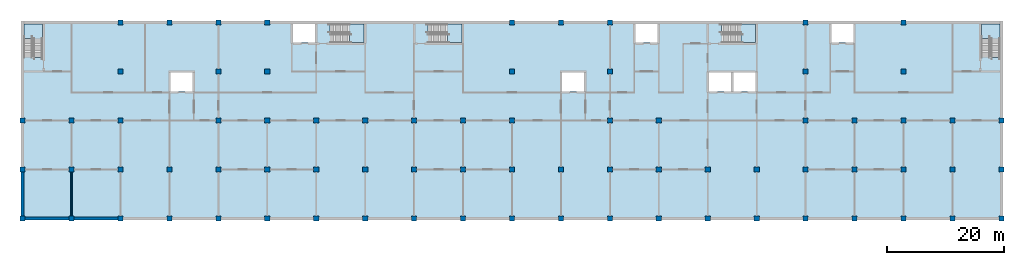
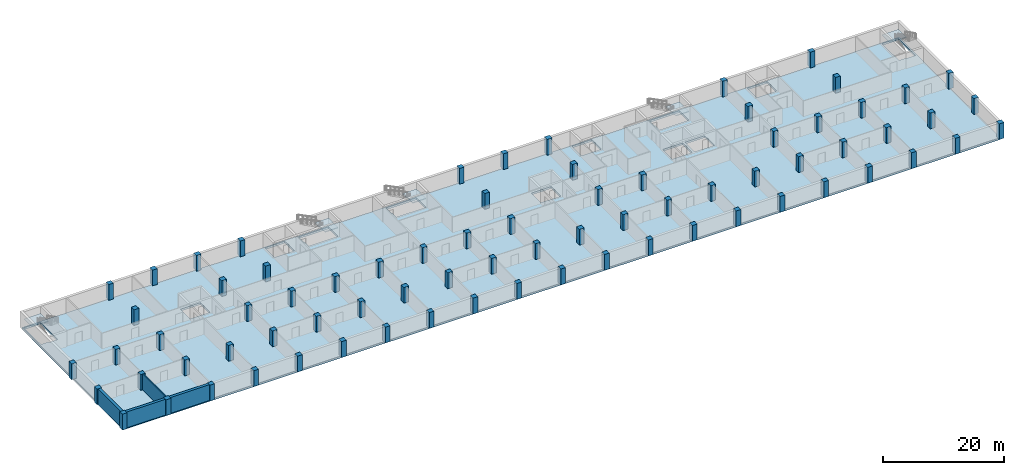
# One storey, part 1 of 12: 75 columns, 6 slabs, 4 walls, 5 elements without a shape of their own.
"""IFC4 building model written with IfcOpenShell, lengths in metres."""

from ifc_helpers import new_model, si_unit, direction, frame, frame_2d, origin, origin_2d, place, context, subcontext, project, spatial, polyline, rectangle, outline, extrude, material, layer, layer_set, material_profile, profile_set, type_object, element, aggregate, save


model = new_model("IFC4")

# Units and contexts
model_context = context("Model", 3, precision=1e-05, world=origin(), true_north=direction((0.0, 1.0)))
body_context = subcontext(model_context, "Body", "Model", "MODEL_VIEW")
ifc_project = project(units=[si_unit("LENGTHUNIT", "METRE"), si_unit("AREAUNIT", "SQUARE_METRE"), si_unit("VOLUMEUNIT", "CUBIC_METRE"), si_unit("PLANEANGLEUNIT", "RADIAN"), si_unit("MASSUNIT", "GRAM", prefix="KILO")], contexts=[model_context])

# Site, building, storey
site_placement = place(None, origin())
site = spatial("IfcSite", under=ifc_project, at=site_placement, CompositionType="ELEMENT")
building_placement = place(site_placement, origin())
building = spatial("IfcBuilding", under=site, at=building_placement, Name="Yavir Park General Hospital", CompositionType="ELEMENT")
storey_placement = place(building_placement, frame((0.0, 0.0, -11.39990234375)))
storey = spatial("IfcBuildingStorey", under=building, at=storey_placement, Name="B3", CompositionType="ELEMENT", Elevation=-11.39990234375)

# Columns
ifc_material_1 = material(Name="Concrete C40/50", Category="concrete")
ifc_material_profile = material_profile(ifc_material_1, rectangle(XDim=0.89990234375, YDim=0.89990234375, at=origin_2d()), Name="RC900x900")
ifc_profile_set = profile_set([ifc_material_profile], Name="Concrete C40/50")
column_type = type_object("IfcColumnType", Name="RC COLUMN 900x900", PredefinedType="COLUMN", material=ifc_profile_set)
for number, where, z_axis, x_axis, name in (
    (1, (0.0, 0.0, 0.0), (0.0, 0.0, 1.0), (1.0, 0.0, 0.0), "C:B3:1A"),
    (2, (8.39990234375, 0.0, 0.0), (0.0, 0.0, 1.0), (1.0, 0.0, 0.0), "C:B3:2A"),
    (3, (16.800048828125, 0.0, 0.0), (0.0, 0.0, 1.0), (1.0, 0.0, 0.0), "C:B3:3A"),
    (4, (25.199951171875, 0.0, 0.0), (0.0, 0.0, 1.0), (1.0, 0.0, 0.0), "C:B3:4A"),
    (5, (33.60009765625, 0.0, 0.0), (0.0, 0.0, 1.0), (1.0, 0.0, 0.0), "C:B3:5A"),
    (6, (42.0, 0.0, 0.0), (0.0, 0.0, 1.0), (1.0, 0.0, 0.0), "C:B3:6A"),
    (7, (50.39990234375, 0.0, 0.0), (0.0, 0.0, 1.0), (1.0, 0.0, 0.0), "C:B3:7A"),
    (8, (58.800048828125, 0.0, 0.0), (0.0, 0.0, 1.0), (1.0, 0.0, 0.0), "C:B3:8A"),
    (9, (67.199951171875, 0.0, 0.0), (0.0, 0.0, 1.0), (1.0, 0.0, 0.0), "C:B3:9A"),
    (10, (75.60009765625, 0.0, 0.0), (0.0, 0.0, 1.0), (1.0, 0.0, 0.0), "C:B3:10A"),
    (11, (84.0, 0.0, 0.0), (0.0, 0.0, 1.0), (1.0, 0.0, 0.0), "C:B3:11A"),
    (12, (92.39990234375, 0.0, 0.0), (0.0, 0.0, 1.0), (1.0, 0.0, 0.0), "C:B3:12A"),
    (13, (100.800048828125, 0.0, 0.0), (0.0, 0.0, 1.0), (1.0, 0.0, 0.0), "C:B3:13A"),
    (14, (109.199951171875, 0.0, 0.0), (0.0, 0.0, 1.0), (1.0, 0.0, 0.0), "C:B3:14A"),
    (15, (117.60009765625, 0.0, 0.0), (0.0, 0.0, 1.0), (1.0, 0.0, 0.0), "C:B3:15A"),
    (16, (126.0, 0.0, 0.0), (0.0, 0.0, 1.0), (1.0, 0.0, 0.0), "C:B3:16A"),
    (17, (134.39990234375, 0.0, 0.0), (0.0, 0.0, 1.0), (1.0, 0.0, 0.0), "C:B3:17A"),
    (18, (142.800048828125, 0.0, 0.0), (0.0, 0.0, 1.0), (1.0, 0.0, 0.0), "C:B3:18A"),
    (19, (151.199951171875, 0.0, 0.0), (0.0, 0.0, 1.0), (1.0, 0.0, 0.0), "C:B3:19A"),
    (20, (159.60009765625, 0.0, 0.0), (0.0, 0.0, 1.0), (1.0, 0.0, 0.0), "C:B3:20A"),
    (21, (168.0, 0.0, 0.0), (0.0, 0.0, 1.0), (1.0, 0.0, 0.0), "C:B3:21A"),
    (22, (0.0, 8.39990234375, 0.0), (0.0, 0.0, 1.0), (1.0, 0.0, 0.0), "C:B3:1B"),
    (23, (8.39990234375, 8.39990234375, 0.0), (0.0, 0.0, 1.0), (1.0, 0.0, 0.0), "C:B3:2B"),
    (24, (16.800048828125, 8.39990234375, 0.0), (0.0, 0.0, 1.0), (1.0, 0.0, 0.0), "C:B3:3B"),
    (25, (25.199951171875, 8.39990234375, 0.0), (0.0, 0.0, 1.0), (1.0, 0.0, 0.0), "C:B3:4B"),
    (26, (33.60009765625, 8.39990234375, 0.0), (0.0, 0.0, 1.0), (1.0, 0.0, 0.0), "C:B3:5B"),
    (27, (42.0, 8.39990234375, 0.0), (0.0, 0.0, 1.0), (1.0, 0.0, 0.0), "C:B3:6B"),
    (28, (50.39990234375, 8.39990234375, 0.0), (0.0, 0.0, 1.0), (1.0, 0.0, 0.0), "C:B3:7B"),
    (29, (58.800048828125, 8.39990234375, 0.0), (0.0, 0.0, 1.0), (1.0, 0.0, 0.0), "C:B3:8B"),
    (30, (67.199951171875, 8.39990234375, 0.0), (0.0, 0.0, 1.0), (1.0, 0.0, 0.0), "C:B3:9B"),
    (31, (75.60009765625, 8.39990234375, 0.0), (0.0, 0.0, 1.0), (1.0, 0.0, 0.0), "C:B3:10B"),
    (32, (84.0, 8.39990234375, 0.0), (0.0, 0.0, 1.0), (1.0, 0.0, 0.0), "C:B3:11B"),
    (33, (92.39990234375, 8.39990234375, 0.0), (0.0, 0.0, 1.0), (1.0, 0.0, 0.0), "C:B3:12B"),
    (34, (100.800048828125, 8.39990234375, 0.0), (0.0, 0.0, 1.0), (1.0, 0.0, 0.0), "C:B3:13B"),
    (35, (109.199951171875, 8.39990234375, 0.0), (0.0, 0.0, 1.0), (1.0, 0.0, 0.0), "C:B3:14B"),
    (36, (117.60009765625, 8.39990234375, 0.0), (0.0, 0.0, 1.0), (1.0, 0.0, 0.0), "C:B3:15B"),
    (37, (126.0, 8.39990234375, 0.0), (0.0, 0.0, 1.0), (1.0, 0.0, 0.0), "C:B3:16B"),
    (38, (134.39990234375, 8.39990234375, 0.0), (0.0, 0.0, 1.0), (1.0, 0.0, 0.0), "C:B3:17B"),
    (39, (142.800048828125, 8.39990234375, 0.0), (0.0, 0.0, 1.0), (1.0, 0.0, 0.0), "C:B3:18B"),
    (40, (151.199951171875, 8.39990234375, 0.0), (0.0, 0.0, 1.0), (1.0, 0.0, 0.0), "C:B3:19B"),
    (41, (159.60009765625, 8.39990234375, 0.0), (0.0, 0.0, 1.0), (1.0, 0.0, 0.0), "C:B3:20B"),
    (42, (168.0, 8.39990234375, 0.0), (0.0, 0.0, 1.0), (1.0, 0.0, 0.0), "C:B3:21B"),
    (43, (0.0, 16.800048828125, 0.0), (0.0, 0.0, 1.0), (1.0, 0.0, 0.0), "C:B3:1C"),
    (44, (8.39990234375, 16.800048828125, 0.0), (0.0, 0.0, 1.0), (1.0, 0.0, 0.0), "C:B3:2C"),
    (45, (16.800048828125, 16.800048828125, 0.0), (0.0, 0.0, 1.0), (1.0, 0.0, 0.0), "C:B3:3C"),
    (46, (33.60009765625, 16.800048828125, 0.0), (0.0, 0.0, 1.0), (1.0, 0.0, 0.0), "C:B3:5C"),
    (47, (42.0, 16.800048828125, 0.0), (0.0, 0.0, 1.0), (1.0, 0.0, 0.0), "C:B3:6C"),
    (48, (50.39990234375, 16.800048828125, 0.0), (0.0, 0.0, 1.0), (1.0, 0.0, 0.0), "C:B3:7C"),
    (49, (58.800048828125, 16.800048828125, 0.0), (0.0, 0.0, 1.0), (1.0, 0.0, 0.0), "C:B3:8C"),
    (50, (67.199951171875, 16.800048828125, 0.0), (0.0, 0.0, 1.0), (1.0, 0.0, 0.0), "C:B3:9C"),
    (51, (75.60009765625, 16.800048828125, 0.0), (0.0, 0.0, 1.0), (1.0, 0.0, 0.0), "C:B3:10C"),
    (52, (84.0, 16.800048828125, 0.0), (0.0, 0.0, 1.0), (1.0, 0.0, 0.0), "C:B3:11C"),
    (53, (100.800048828125, 16.800048828125, 0.0), (0.0, 0.0, 1.0), (1.0, 0.0, 0.0), "C:B3:13C"),
    (54, (109.199951171875, 16.800048828125, 0.0), (0.0, 0.0, 1.0), (1.0, 0.0, 0.0), "C:B3:14C"),
    (55, (134.39990234375, 16.800048828125, 0.0), (0.0, 0.0, 1.0), (1.0, 0.0, 0.0), "C:B3:17C"),
    (56, (142.800048828125, 16.800048828125, 0.0), (0.0, 0.0, 1.0), (1.0, 0.0, 0.0), "C:B3:18C"),
    (57, (151.199951171875, 16.800048828125, 0.0), (0.0, 0.0, 1.0), (1.0, 0.0, 0.0), "C:B3:19C"),
    (58, (159.60009765625, 16.800048828125, 0.0), (0.0, 0.0, 1.0), (1.0, 0.0, 0.0), "C:B3:20C"),
    (59, (168.0, 16.800048828125, 0.0), (0.0, 0.0, 1.0), (1.0, 0.0, 0.0), "C:B3:21C"),
    (60, (16.800048828125, 25.199951171875, 0.0), (0.0, 0.0, 1.0), (1.0, 0.0, 0.0), "C:B3:3D"),
    (61, (33.60009765625, 25.199951171875, 0.0), (0.0, 0.0, 1.0), (1.0, 0.0, 0.0), "C:B3:5D"),
    (62, (42.0, 25.199951171875, 0.0), (0.0, 0.0, 1.0), (1.0, 0.0, 0.0), "C:B3:6D"),
    (63, (84.0, 25.199951171875, 0.0), (0.0, 0.0, 1.0), (1.0, 0.0, 0.0), "C:B3:11D"),
    (64, (100.800048828125, 25.199951171875, 0.0), (0.0, 0.0, 1.0), (1.0, 0.0, 0.0), "C:B3:13D"),
    (65, (134.39990234375, 25.199951171875, 0.0), (0.0, 0.0, 1.0), (1.0, 0.0, 0.0), "C:B3:17D"),
    (66, (151.199951171875, 25.199951171875, 0.0), (0.0, 0.0, 1.0), (1.0, 0.0, 0.0), "C:B3:19D"),
    (67, (16.800048828125, 33.60009765625, 0.0), (0.0, 0.0, 1.0), (1.0, 0.0, 0.0), "C:B3:3E"),
    (68, (25.199951171875, 33.60009765625, 0.0), (0.0, 0.0, 1.0), (1.0, 0.0, 0.0), "C:B3:4E"),
    (69, (33.60009765625, 33.60009765625, 0.0), (0.0, 0.0, 1.0), (1.0, 0.0, 0.0), "C:B3:5E"),
    (70, (42.0, 33.60009765625, 0.0), (0.0, 0.0, 1.0), (1.0, 0.0, 0.0), "C:B3:6E"),
    (71, (84.0, 33.60009765625, 0.0), (0.0, 0.0, 1.0), (1.0, 0.0, 0.0), "C:B3:11E"),
    (72, (92.39990234375, 33.60009765625, 0.0), (0.0, 0.0, 1.0), (1.0, 0.0, 0.0), "C:B3:12E"),
    (73, (100.800048828125, 33.60009765625, 0.0), (0.0, 0.0, 1.0), (1.0, 0.0, 0.0), "C:B3:13E"),
    (74, (134.39990234375, 33.60009765625, 0.0), (0.0, 0.0, 1.0), (1.0, 0.0, 0.0), "C:B3:17E"),
    (75, (151.199951171875, 33.60009765625, 0.0), (0.0, 0.0, 1.0), (1.0, 0.0, 0.0), "C:B3:19E"),
):
    element("IfcColumn", number, at=place(storey_placement, frame(where, z_axis=z_axis, x_axis=x_axis)), inside=storey, type_object=column_type, Name=name, PredefinedType="COLUMN", context=body_context, shape_type="SweptSolid", body=[
        extrude(rectangle(XDim=0.89990234375, YDim=0.89990234375, at=origin_2d()), origin(), (0.0, 0.0, 1.0), 3.199951171875),
    ])

# Stair, slab
ifc_material_2 = material(Name="Concrete C30/37", Category="concrete")
stair_type = type_object("IfcStairType", Name="Patient escape stair, 24 risers of 150 mm, 1400 mm flights", PredefinedType="HALF_TURN_STAIR", material=ifc_material_2)
stair_1_placement = place(storey_placement, origin())
stair_1 = element("IfcStair", 76, at=stair_1_placement, inside=storey, type_object=stair_type, Name="Stair BS1, B3 to B2", PredefinedType="HALF_TURN_STAIR")
ifc_material_3 = material(Name="Concrete C30/37", Category="concrete")
ifc_layer_1 = layer(ifc_material_3, 0.159912109375)
ifc_layer_set_1 = layer_set([ifc_layer_1], Name="Concrete C30/37")
slab_type_1 = type_object("IfcSlabType", Name="Patient escape stair half landing, reinforced concrete 160 mm", PredefinedType="LANDING", material=ifc_layer_set_1)
slab_1_placement = place(storey_placement, frame((0.0, 0.0, 1.639892578125)))
slab_1 = element("IfcSlab", 77, at=slab_1_placement, type_object=slab_type_1, Name="BS1 landing 1", PredefinedType="LANDING", context=body_context, shape_type="SweptSolid", body=[
    extrude(outline(polyline([(0.25, 30.8984375), (0.25, 33.35009765625), (3.39990234375, 33.35009765625), (3.39990234375, 30.75), (1.949951171875, 30.75), (1.949951171875, 30.8984375), (0.25, 30.8984375)])), origin(), (0.0, 0.0, 1.0), 0.159912109375),
])
aggregate(stair_1, [slab_1])

stair_2_placement = place(storey_placement, origin())
stair_2 = element("IfcStair", 78, at=stair_2_placement, inside=storey, type_object=stair_type, Name="Stair BS2, B3 to B2", PredefinedType="HALF_TURN_STAIR")
slab_2_placement = place(storey_placement, frame((0.0, 0.0, 1.639892578125)))
slab_2 = element("IfcSlab", 79, at=slab_2_placement, type_object=slab_type_1, Name="BS2 landing 1", PredefinedType="LANDING", context=body_context, shape_type="SweptSolid", body=[
    extrude(outline(polyline([(56.098388671875, 30.199951171875), (58.60009765625, 30.199951171875), (58.60009765625, 33.35009765625), (55.949951171875, 33.35009765625), (55.949951171875, 31.89990234375), (56.098388671875, 31.89990234375), (56.098388671875, 30.199951171875)])), origin(), (0.0, 0.0, 1.0), 0.159912109375),
])
aggregate(stair_2, [slab_2])

stair_3_placement = place(storey_placement, origin())
stair_3 = element("IfcStair", 80, at=stair_3_placement, inside=storey, type_object=stair_type, Name="Stair BS3, B3 to B2", PredefinedType="HALF_TURN_STAIR")
slab_3_placement = place(storey_placement, frame((0.0, 0.0, 1.639892578125)))
slab_3 = element("IfcSlab", 81, at=slab_3_placement, type_object=slab_type_1, Name="BS3 landing 1", PredefinedType="LANDING", context=body_context, shape_type="SweptSolid", body=[
    extrude(outline(polyline([(72.8984375, 30.199951171875), (75.39990234375, 30.199951171875), (75.39990234375, 33.35009765625), (72.75, 33.35009765625), (72.75, 31.89990234375), (72.8984375, 31.89990234375), (72.8984375, 30.199951171875)])), origin(), (0.0, 0.0, 1.0), 0.159912109375),
])
aggregate(stair_3, [slab_3])

stair_4_placement = place(storey_placement, origin())
stair_4 = element("IfcStair", 82, at=stair_4_placement, inside=storey, type_object=stair_type, Name="Stair BS4, B3 to B2", PredefinedType="HALF_TURN_STAIR")
slab_4_placement = place(storey_placement, frame((0.0, 0.0, 1.639892578125)))
slab_4 = element("IfcSlab", 83, at=slab_4_placement, type_object=slab_type_1, Name="BS4 landing 1", PredefinedType="LANDING", context=body_context, shape_type="SweptSolid", body=[
    extrude(outline(polyline([(123.298583984375, 30.199951171875), (125.800048828125, 30.199951171875), (125.800048828125, 33.35009765625), (123.14990234375, 33.35009765625), (123.14990234375, 31.89990234375), (123.298583984375, 31.89990234375), (123.298583984375, 30.199951171875)])), origin(), (0.0, 0.0, 1.0), 0.159912109375),
])
aggregate(stair_4, [slab_4])

stair_5_placement = place(storey_placement, origin())
stair_5 = element("IfcStair", 84, at=stair_5_placement, inside=storey, type_object=stair_type, Name="Stair BS5, B3 to B2", PredefinedType="HALF_TURN_STAIR")
slab_5_placement = place(storey_placement, frame((0.0, 0.0, 1.639892578125)))
slab_5 = element("IfcSlab", 85, at=slab_5_placement, type_object=slab_type_1, Name="BS5 landing 1", PredefinedType="LANDING", context=body_context, shape_type="SweptSolid", body=[
    extrude(outline(polyline([(164.60009765625, 30.8984375), (164.60009765625, 33.35009765625), (167.75, 33.35009765625), (167.75, 30.75), (166.300048828125, 30.75), (166.300048828125, 30.8984375), (164.60009765625, 30.8984375)])), origin(), (0.0, 0.0, 1.0), 0.159912109375),
])
aggregate(stair_5, [slab_5])

# Slab
ifc_material_4 = material(Name="Concrete C35/45", Category="concrete")
ifc_layer_2 = layer(ifc_material_4, 0.39990234375)
ifc_layer_set_2 = layer_set([ifc_layer_2], Name="Concrete C35/45")
slab_type_2 = type_object("IfcSlabType", Name="RC SLAB FLOOR 400", PredefinedType="FLOOR", material=ifc_layer_set_2)
slab_6_placement = place(storey_placement, frame((0.0, 0.0, -0.400146484375)))
element("IfcSlab", 86, at=slab_6_placement, inside=storey, type_object=slab_type_2, Name="S:B3:0", PredefinedType="FLOOR", context=body_context, shape_type="SweptSolid", body=[
    extrude(outline(polyline([(168.0, 33.60009765625), (0.0, 33.60009765625), (0.0, 0.0), (168.0, 0.0), (168.0, 33.60009765625)]), holes=[polyline([(29.199951171875, 21.800048828125), (25.39990234375, 21.800048828125), (25.39990234375, 25.0), (29.199951171875, 25.0), (29.199951171875, 21.800048828125)]), polyline([(92.60009765625, 21.800048828125), (92.60009765625, 25.0), (96.39990234375, 25.0), (96.39990234375, 21.800048828125), (92.60009765625, 21.800048828125)]), polyline([(50.199951171875, 30.199951171875), (46.39990234375, 30.199951171875), (46.39990234375, 33.39990234375), (50.199951171875, 33.39990234375), (50.199951171875, 30.199951171875)]), polyline([(121.60009765625, 21.800048828125), (117.800048828125, 21.800048828125), (117.800048828125, 25.0), (121.60009765625, 25.0), (121.60009765625, 21.800048828125)]), polyline([(122.0, 21.800048828125), (122.0, 25.0), (125.800048828125, 25.0), (125.800048828125, 21.800048828125), (122.0, 21.800048828125)]), polyline([(109.0, 30.199951171875), (105.199951171875, 30.199951171875), (105.199951171875, 33.39990234375), (109.0, 33.39990234375), (109.0, 30.199951171875)]), polyline([(138.800048828125, 30.199951171875), (138.800048828125, 33.39990234375), (142.60009765625, 33.39990234375), (142.60009765625, 30.199951171875), (138.800048828125, 30.199951171875)]), polyline([(3.39990234375, 27.6015625), (1.64990234375, 27.6015625), (1.64990234375, 27.75146484375), (0.25, 27.75146484375), (0.25, 33.35009765625), (3.39990234375, 33.35009765625), (3.39990234375, 27.6015625)]), polyline([(58.60009765625, 30.199951171875), (52.951416015625, 30.199951171875), (52.951416015625, 31.60009765625), (52.801513671875, 31.60009765625), (52.801513671875, 33.35009765625), (58.60009765625, 33.35009765625), (58.60009765625, 30.199951171875)]), polyline([(69.75146484375, 31.60009765625), (69.6015625, 31.60009765625), (69.6015625, 33.35009765625), (75.39990234375, 33.35009765625), (75.39990234375, 30.199951171875), (69.75146484375, 30.199951171875), (69.75146484375, 31.60009765625)]), polyline([(120.00146484375, 33.35009765625), (125.800048828125, 33.35009765625), (125.800048828125, 30.199951171875), (120.151611328125, 30.199951171875), (120.151611328125, 31.60009765625), (120.00146484375, 31.60009765625), (120.00146484375, 33.35009765625)]), polyline([(166.0, 27.75146484375), (164.60009765625, 27.75146484375), (164.60009765625, 33.35009765625), (167.75, 33.35009765625), (167.75, 27.6015625), (166.0, 27.6015625), (166.0, 27.75146484375)])]), origin(), (0.0, 0.0, 1.0), 0.400146484375),
])

# Walls
ifc_material_5 = material(Name="Double gypsum board fire partition on steel studs", Category="steel")
ifc_layer_3 = layer(ifc_material_5, 0.199951171875)
ifc_layer_set_3 = layer_set([ifc_layer_3], Name="Double gypsum board fire partition on steel studs")
wall_type_1 = type_object("IfcWallType", Name="Fire-rated partition 200, EI 60", PredefinedType="PARTITIONING", material=ifc_layer_set_3)
wall_placement = place(storey_placement, frame((8.39990234375, 0.449951171875, 0.0), z_axis=(0.0, 0.0, 1.0), x_axis=(0.0, 1.0, 0.0)))
element("IfcWall", 87, at=wall_placement, inside=storey, type_object=wall_type_1, Name="FP20 B3-056", PredefinedType="PARTITIONING", context=body_context, shape_type="SweptSolid", body=[
    extrude(rectangle(XDim=7.5, YDim=0.199951171875, at=frame_2d((3.75, 0.0))), origin(), (0.0, 0.0, 1.0), 3.199951171875),
])
ifc_material_6 = material(Name="Concrete C35/45", Category="concrete")
ifc_layer_4 = layer(ifc_material_6, 0.5)
ifc_layer_set_4 = layer_set([ifc_layer_4], Name="Concrete C35/45")
wall_type_2 = type_object("IfcWallType", Name="RC WALL RETAINING 500", PredefinedType="SOLIDWALL", material=ifc_layer_set_4)
for number, where, z_axis, x_axis, name in (
    (88, (0.449951171875, 0.0, 0.0), (0.0, 0.0, 1.0), (1.0, 0.0, 0.0), "W:RET:B3:S0"),
    (89, (8.85009765625, 0.0, 0.0), (0.0, 0.0, 1.0), (1.0, 0.0, 0.0), "W:RET:B3:S1"),
    (90, (0.0, 0.449951171875, 0.0), (0.0, 0.0, 1.0), (0.0, 1.0, 0.0), "W:RET:B3:W30"),
):
    element("IfcWall", number, at=place(storey_placement, frame(where, z_axis=z_axis, x_axis=x_axis)), inside=storey, type_object=wall_type_2, Name=name, PredefinedType="SOLIDWALL", context=body_context, shape_type="SweptSolid", body=[
        extrude(rectangle(XDim=7.5, YDim=0.5, at=frame_2d((3.75, 0.0))), origin(), (0.0, 0.0, 1.0), 3.199951171875),
    ])

save(model, "model.ifc")
